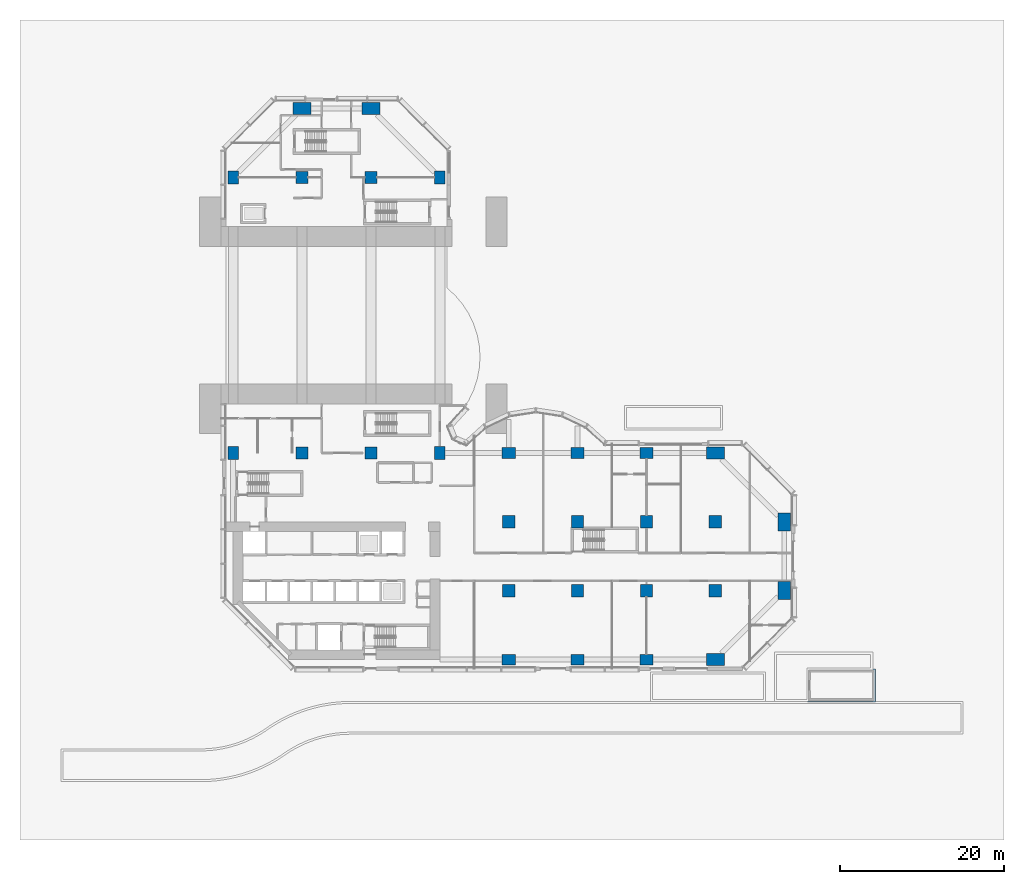
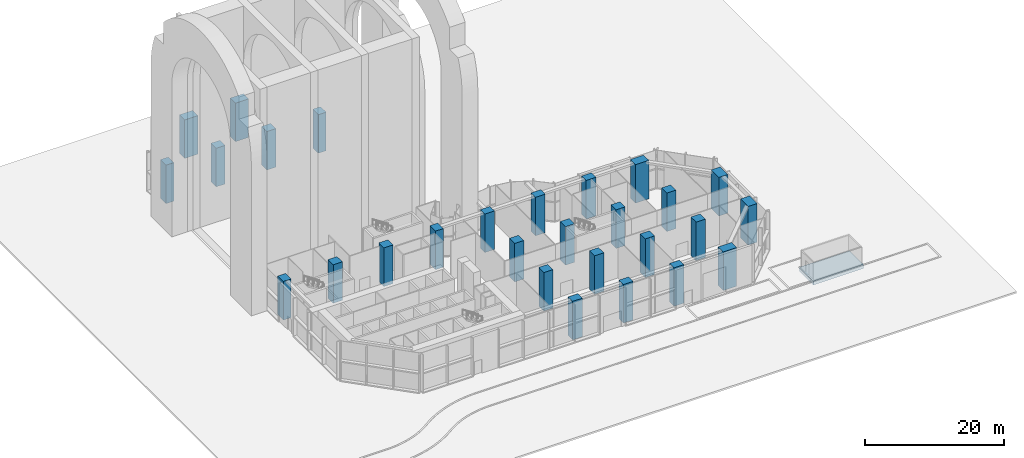
# One storey, part 1 of 21: 28 columns, 1 footing.
"""IFC4 building model written with IfcOpenShell, lengths in metres."""

from ifc_helpers import new_model, si_unit, direction, frame, origin, origin_2d, place, context, subcontext, project, spatial, polyline, rectangle, outline, extrude, material, layer, layer_set, material_profile, profile_set, type_object, element, save


model = new_model("IFC4")

# Units and contexts
model_context = context("Model", 3, precision=1e-05, world=origin(), true_north=direction((0.0, 1.0)))
body_context = subcontext(model_context, "Body", "Model", "MODEL_VIEW")
ifc_project = project(units=[si_unit("LENGTHUNIT", "METRE"), si_unit("AREAUNIT", "SQUARE_METRE"), si_unit("VOLUMEUNIT", "CUBIC_METRE"), si_unit("PLANEANGLEUNIT", "RADIAN"), si_unit("MASSUNIT", "GRAM", prefix="KILO")], contexts=[model_context])

# Site, building, storey
site_placement = place(None, origin())
site = spatial("IfcSite", under=ifc_project, at=site_placement, CompositionType="ELEMENT")
building_placement = place(site_placement, origin())
building = spatial("IfcBuilding", under=site, at=building_placement, Name="Brevane Broadcast Tower", CompositionType="ELEMENT")
storey_placement = place(building_placement, origin())
storey = spatial("IfcBuildingStorey", under=building, at=storey_placement, Name="L00", CompositionType="ELEMENT", Elevation=0.0)

# Footing
ifc_material_1 = material(Name="Concrete C30/37", Category="concrete")
ifc_layer = layer(ifc_material_1, 0.699951171875)
ifc_layer_set = layer_set([ifc_layer], Name="Refuse store pad footing 700 C30/37")
footing_type = type_object("IfcFootingType", Name="Refuse store pad footing 700 C30/37", PredefinedType="PAD_FOOTING", material=ifc_layer_set)
footing_placement = place(storey_placement, frame((0.0, 0.0, -0.699951171875)))
element("IfcFooting", 1, at=footing_placement, inside=storey, type_object=footing_type, Name="Refuse store pad footing", PredefinedType="PAD_FOOTING", context=body_context, shape_type="SweptSolid", body=[
    extrude(outline(polyline([(78.35009765625, -1.14990234375), (70.050048828125, -1.14990234375), (70.050048828125, -5.14990234375), (78.35009765625, -5.14990234375), (78.35009765625, -1.14990234375)])), origin(), (0.0, 0.0, 1.0), 0.699951171875),
])

# Columns
ifc_material_2 = material(Name="Concrete C80/95", Category="concrete")
ifc_material_profile_1 = material_profile(ifc_material_2, rectangle(XDim=1.300048828125, YDim=1.60009765625, at=origin_2d()), Name="RC 1300x1600")
ifc_profile_set_1 = profile_set([ifc_material_profile_1], Name="Concrete C80/95")
column_type_1 = type_object("IfcColumnType", Name="RC COLUMN EDGE 1300x1600 C80/95", PredefinedType="COLUMN", material=ifc_profile_set_1)
for number, where, z_axis, x_axis, name in (
    (2, (0.0, 25.199951171875, 0.0), (0.0, 0.0, 1.0), (1.0, 0.0, 0.0), "CE1 1/D"),
    (3, (0.0, 58.800048828125, 0.0), (0.0, 0.0, 1.0), (1.0, 0.0, 0.0), "CE1 1/H"),
    (4, (25.199951171875, 25.199951171875, 0.0), (0.0, 0.0, 1.0), (1.0, 0.0, 0.0), "CE1 4/D"),
    (5, (25.199951171875, 58.800048828125, 0.0), (0.0, 0.0, 1.0), (1.0, 0.0, 0.0), "CE1 4/H"),
    (6, (33.60009765625, 0.0, 0.0), (0.0, 0.0, 1.0), (0.0, 1.0, 0.0), "CE1 5/A"),
    (7, (33.60009765625, 25.199951171875, 0.0), (0.0, 0.0, 1.0), (0.0, 1.0, 0.0), "CE1 5/D"),
    (8, (42.0, 0.0, 0.0), (0.0, 0.0, 1.0), (0.0, 1.0, 0.0), "CE1 6/A"),
    (9, (42.0, 25.199951171875, 0.0), (0.0, 0.0, 1.0), (0.0, 1.0, 0.0), "CE1 6/D"),
    (10, (50.39990234375, 0.0, 0.0), (0.0, 0.0, 1.0), (0.0, 1.0, 0.0), "CE1 7/A"),
    (11, (50.39990234375, 25.199951171875, 0.0), (0.0, 0.0, 1.0), (0.0, 1.0, 0.0), "CE1 7/D"),
):
    element("IfcColumn", number, at=place(storey_placement, frame(where, z_axis=z_axis, x_axis=x_axis)), inside=storey, type_object=column_type_1, Name=name, PredefinedType="COLUMN", context=body_context, shape_type="SweptSolid", body=[
        extrude(rectangle(XDim=1.300048828125, YDim=1.60009765625, at=origin_2d()), origin(), (0.0, 0.0, 1.0), 6.75),
    ])
ifc_material_profile_2 = material_profile(ifc_material_2, rectangle(XDim=1.5, YDim=2.199951171875, at=origin_2d()), Name="RC 1500x2200")
ifc_profile_set_2 = profile_set([ifc_material_profile_2], Name="Concrete C80/95")
column_type_2 = type_object("IfcColumnType", Name="RC COLUMN EDGE 1500x2200 C80/95", PredefinedType="COLUMN", material=ifc_profile_set_2)
for number, where, z_axis, x_axis, name in (
    (12, (58.800048828125, 0.0, 0.0), (0.0, 0.0, 1.0), (0.0, 1.0, 0.0), "CE4 8/A"),
    (13, (58.800048828125, 25.199951171875, 0.0), (0.0, 0.0, 1.0), (0.0, 1.0, 0.0), "CE4 8/D"),
):
    element("IfcColumn", number, at=place(storey_placement, frame(where, z_axis=z_axis, x_axis=x_axis)), inside=storey, type_object=column_type_2, Name=name, PredefinedType="COLUMN", context=body_context, shape_type="SweptSolid", body=[
        extrude(rectangle(XDim=1.5, YDim=2.199951171875, at=origin_2d()), origin(), (0.0, 0.0, 1.0), 6.75),
    ])
ifc_material_profile_3 = material_profile(ifc_material_2, rectangle(XDim=1.5, YDim=1.5, at=origin_2d()), Name="RC 1500x1500")
ifc_profile_set_3 = profile_set([ifc_material_profile_3], Name="Concrete C80/95")
column_type_3 = type_object("IfcColumnType", Name="RC COLUMN INTERIOR 1500x1500 C80/95", PredefinedType="COLUMN", material=ifc_profile_set_3)
for number, where, z_axis, x_axis, name in (
    (14, (8.39990234375, 25.199951171875, 0.0), (0.0, 0.0, 1.0), (1.0, 0.0, 0.0), "CI2 2/D"),
    (15, (8.39990234375, 58.800048828125, 0.0), (0.0, 0.0, 1.0), (1.0, 0.0, 0.0), "CI2 2/H"),
    (16, (16.800048828125, 25.199951171875, 0.0), (0.0, 0.0, 1.0), (1.0, 0.0, 0.0), "CI2 3/D"),
    (17, (16.800048828125, 58.800048828125, 0.0), (0.0, 0.0, 1.0), (1.0, 0.0, 0.0), "CI2 3/H"),
    (18, (33.60009765625, 8.39990234375, 0.0), (0.0, 0.0, 1.0), (1.0, 0.0, 0.0), "CI2 5/B"),
    (19, (33.60009765625, 16.800048828125, 0.0), (0.0, 0.0, 1.0), (1.0, 0.0, 0.0), "CI2 5/C"),
    (20, (42.0, 8.39990234375, 0.0), (0.0, 0.0, 1.0), (1.0, 0.0, 0.0), "CI2 6/B"),
    (21, (42.0, 16.800048828125, 0.0), (0.0, 0.0, 1.0), (1.0, 0.0, 0.0), "CI2 6/C"),
    (22, (50.39990234375, 8.39990234375, 0.0), (0.0, 0.0, 1.0), (1.0, 0.0, 0.0), "CI2 7/B"),
    (23, (50.39990234375, 16.800048828125, 0.0), (0.0, 0.0, 1.0), (1.0, 0.0, 0.0), "CI2 7/C"),
    (24, (58.800048828125, 8.39990234375, 0.0), (0.0, 0.0, 1.0), (1.0, 0.0, 0.0), "CI2 8/B"),
    (25, (58.800048828125, 16.800048828125, 0.0), (0.0, 0.0, 1.0), (1.0, 0.0, 0.0), "CI2 8/C"),
):
    element("IfcColumn", number, at=place(storey_placement, frame(where, z_axis=z_axis, x_axis=x_axis)), inside=storey, type_object=column_type_3, Name=name, PredefinedType="COLUMN", context=body_context, shape_type="SweptSolid", body=[
        extrude(rectangle(XDim=1.5, YDim=1.5, at=origin_2d()), origin(), (0.0, 0.0, 1.0), 6.75),
    ])
ifc_material_profile_4 = material_profile(ifc_material_2, rectangle(XDim=1.5, YDim=2.199951171875, at=origin_2d()), Name="RC 1500x2200")
ifc_profile_set_4 = profile_set([ifc_material_profile_4], Name="Concrete C80/95")
column_type_4 = type_object("IfcColumnType", Name="RC COLUMN WING-END 1500x2200 C80/95", PredefinedType="COLUMN", material=ifc_profile_set_4)
for number, where, z_axis, x_axis, name in (
    (26, (8.39990234375, 67.199951171875, 0.0), (0.0, 0.0, 1.0), (0.0, 1.0, 0.0), "CW3 2/I"),
    (27, (16.800048828125, 67.199951171875, 0.0), (0.0, 0.0, 1.0), (0.0, 1.0, 0.0), "CW3 3/I"),
    (28, (67.199951171875, 8.39990234375, 0.0), (0.0, 0.0, 1.0), (1.0, 0.0, 0.0), "CW3 9/B"),
    (29, (67.199951171875, 16.800048828125, 0.0), (0.0, 0.0, 1.0), (1.0, 0.0, 0.0), "CW3 9/C"),
):
    element("IfcColumn", number, at=place(storey_placement, frame(where, z_axis=z_axis, x_axis=x_axis)), inside=storey, type_object=column_type_4, Name=name, PredefinedType="COLUMN", context=body_context, shape_type="SweptSolid", body=[
        extrude(rectangle(XDim=1.5, YDim=2.199951171875, at=origin_2d()), origin(), (0.0, 0.0, 1.0), 6.75),
    ])

save(model, "model.ifc")
